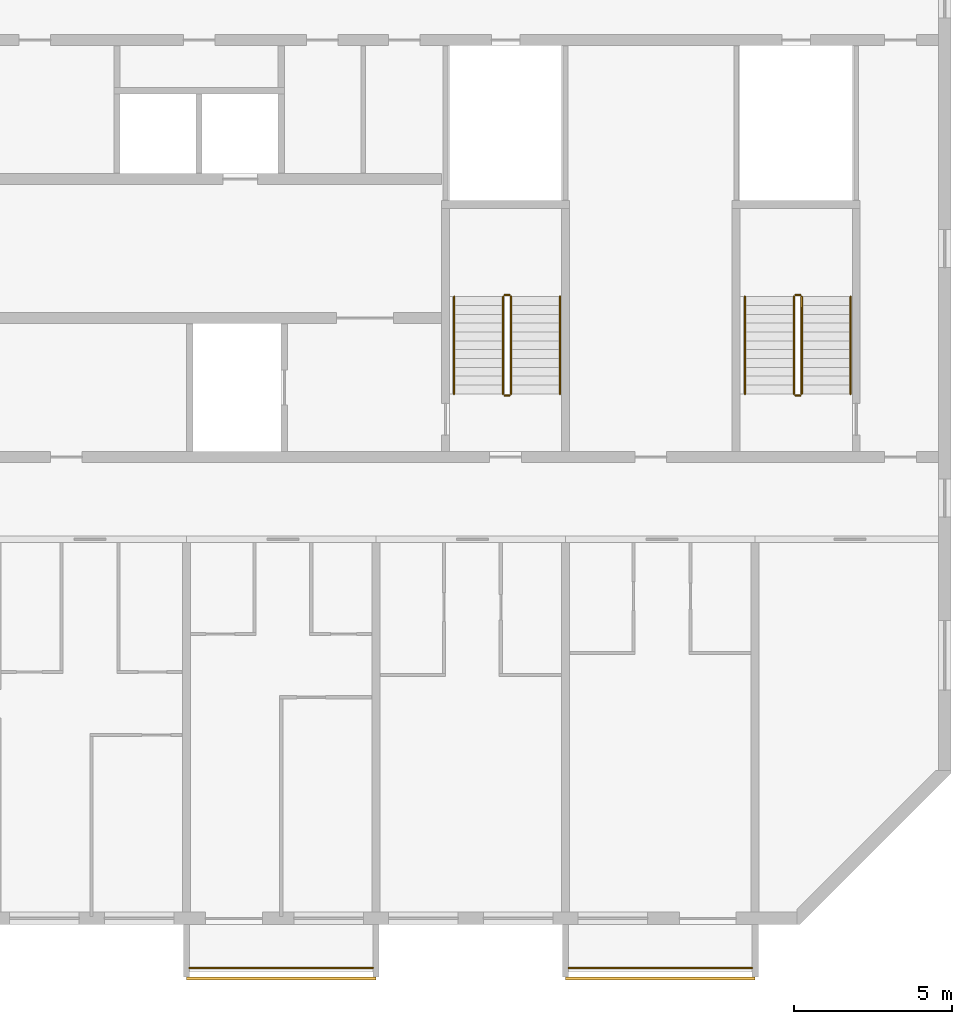
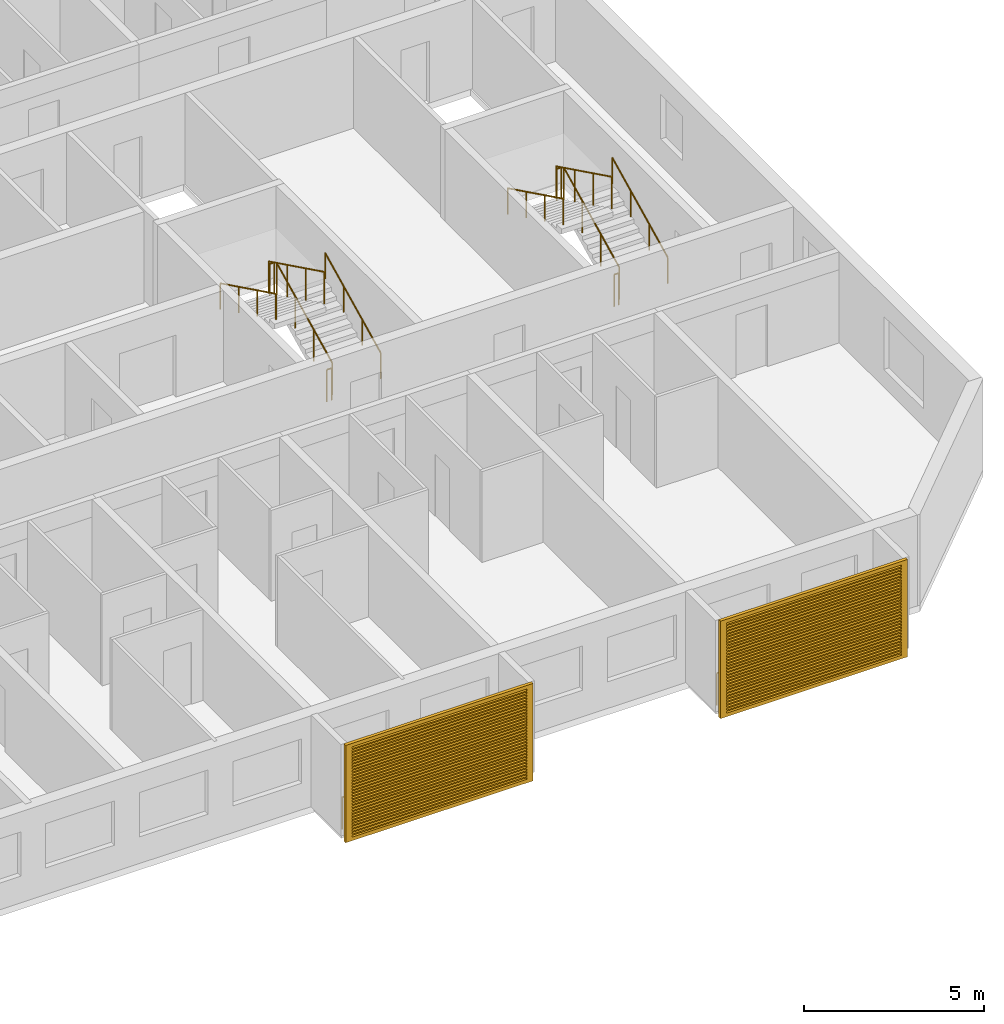
# One storey, part 14 of 26: 14 railings, 2 shading devices.
"""IFC4 building model written with IfcOpenShell, lengths in metres."""

from ifc_helpers import new_model, si_unit, direction, frame, origin, origin_2d, place, context, subcontext, project, spatial, polyline, circle, outline, extrude, source, transform, mapped, material, material_profile, profile_set, type_object, element, save


model = new_model("IFC4")

# Units and contexts
model_context = context("Model", 3, precision=1e-05, world=origin(), true_north=direction((0.0, 1.0)))
body_context = subcontext(model_context, "Body", "Model", "MODEL_VIEW")
ifc_project = project(units=[si_unit("LENGTHUNIT", "METRE"), si_unit("AREAUNIT", "SQUARE_METRE"), si_unit("VOLUMEUNIT", "CUBIC_METRE"), si_unit("PLANEANGLEUNIT", "RADIAN"), si_unit("MASSUNIT", "GRAM", prefix="KILO")], contexts=[model_context])

# Site, building, storey
site_placement = place(None, origin())
site = spatial("IfcSite", under=ifc_project, at=site_placement, CompositionType="ELEMENT")
building_placement = place(site_placement, origin())
building = spatial("IfcBuilding", under=site, at=building_placement, Name="Poui Terraces", CompositionType="ELEMENT")
storey_placement = place(building_placement, frame((0.0, 0.0, 244.5)))
storey = spatial("IfcBuildingStorey", under=building, at=storey_placement, Name="L68", CompositionType="ELEMENT", Elevation=244.5)

# Railings
ifc_material_1 = material(Name="Painted steel fretwork", Category="steel")
railing_type_1 = type_object("IfcRailingType", Name="BALCONY GUARD 1100", PredefinedType="GUARDRAIL", material=ifc_material_1)
for number, where, name in (
    (1, (60.10009765625, -1.570068359375, 0.0), "BALCONY GUARD"),
    (2, (72.10009765625, -1.570068359375, 0.0), "BALCONY GUARD"),
):
    element("IfcRailing", number, at=place(storey_placement, frame(where)), inside=storey, type_object=railing_type_1, Name=name, PredefinedType="GUARDRAIL", context=body_context, shape_type="SweptSolid", body=[
        extrude(circle(Radius=0.02392578125, at=origin_2d()), frame((0.0, 0.0, 1.076171875), z_axis=(1.0, 0.0, 0.0), x_axis=(0.0, 1.0, 0.0)), (0.0, 0.0, 1.0), 5.7998046875),
        extrude(circle(Radius=0.02099609375, at=origin_2d()), origin(), (0.0, 0.0, 1.0), 1.052001953125),
        extrude(circle(Radius=0.02099609375, at=origin_2d()), frame((0.966552734375, 0.0, 0.0)), (0.0, 0.0, 1.0), 1.052001953125),
        extrude(circle(Radius=0.02099609375, at=origin_2d()), frame((1.933349609375, 0.0, 0.0)), (0.0, 0.0, 1.0), 1.052001953125),
        extrude(circle(Radius=0.02099609375, at=origin_2d()), frame((2.89990234375, 0.0, 0.0)), (0.0, 0.0, 1.0), 1.052001953125),
        extrude(circle(Radius=0.02099609375, at=origin_2d()), frame((3.866455078125, 0.0, 0.0)), (0.0, 0.0, 1.0), 1.052001953125),
        extrude(circle(Radius=0.02099609375, at=origin_2d()), frame((4.833251953125, 0.0, 0.0)), (0.0, 0.0, 1.0), 1.052001953125),
        extrude(circle(Radius=0.02099609375, at=origin_2d()), frame((5.7998046875, 0.0, 0.0)), (0.0, 0.0, 1.0), 1.052001953125),
    ])
ifc_material_2 = material(Name="Galvanised steel balustrade", Category="steel")
railing_type_2 = type_object("IfcRailingType", Name="STAIR GUARD 1100", PredefinedType="GUARDRAIL", material=ifc_material_2)
railing_1_placement = place(storey_placement, frame((70.27490234375, 16.60009765625, 0.137451171875)))
element("IfcRailing", 3, at=railing_1_placement, inside=storey, type_object=railing_type_2, Name="L68 ST-CE stair guard 1", PredefinedType="GUARDRAIL", context=body_context, shape_type="SweptSolid", body=[
    extrude(circle(Radius=0.02392578125, at=origin_2d()), frame((0.0, 0.0, 1.076171875), z_axis=(0.0, 0.897606190399, 0.440798283751), x_axis=(-1.0, 0.0, 0.0)), (0.0, 0.0, 1.0), 3.43115234375),
    extrude(circle(Radius=0.02099609375, at=origin_2d()), origin(), (0.0, 0.0, 1.0), 1.052001953125),
    extrude(circle(Radius=0.02099609375, at=origin_2d()), frame((0.0, 1.026611328125, 0.504150390625)), (0.0, 0.0, 1.0), 1.052001953125),
    extrude(circle(Radius=0.02099609375, at=origin_2d()), frame((0.0, 2.05322265625, 1.00830078125)), (0.0, 0.0, 1.0), 1.052001953125),
    extrude(circle(Radius=0.02099609375, at=origin_2d()), frame((0.0, 3.079833984375, 1.512451171875)), (0.0, 0.0, 1.0), 1.052001953125),
])
railing_2_placement = place(storey_placement, frame((70.22509765625, 19.72998046875, 1.64990234375)))
element("IfcRailing", 4, at=railing_2_placement, inside=storey, type_object=railing_type_2, Name="L68 ST-CE stair guard 2", PredefinedType="GUARDRAIL", context=body_context, shape_type="SweptSolid", body=[
    extrude(circle(Radius=0.02392578125, at=origin_2d()), frame((0.0, 0.0, 1.076171875), z_axis=(-1.0, 0.0, 0.0), x_axis=(0.0, -1.0, 0.0)), (0.0, 0.0, 1.0), 0.150146484375),
    extrude(circle(Radius=0.02099609375, at=origin_2d()), origin(), (0.0, 0.0, 1.0), 1.052001953125),
    extrude(circle(Radius=0.02099609375, at=origin_2d()), frame((-0.150146484375, 0.0, 0.0)), (0.0, 0.0, 1.0), 1.052001953125),
])
railing_3_placement = place(storey_placement, frame((70.02490234375, 19.679931640625, 1.78759765625)))
element("IfcRailing", 5, at=railing_3_placement, inside=storey, type_object=railing_type_2, Name="L68 ST-CE stair guard 3", PredefinedType="GUARDRAIL", context=body_context, shape_type="SweptSolid", body=[
    extrude(circle(Radius=0.02392578125, at=origin_2d()), frame((0.0, 0.0, 1.076171875), z_axis=(0.0, -0.897606190399, 0.440798283751), x_axis=(1.0, 0.0, 0.0)), (0.0, 0.0, 1.0), 3.43115234375),
    extrude(circle(Radius=0.02099609375, at=origin_2d()), origin(), (0.0, 0.0, 1.0), 1.052001953125),
    extrude(circle(Radius=0.02099609375, at=origin_2d()), frame((0.0, -1.026611328125, 0.504150390625)), (0.0, 0.0, 1.0), 1.052001953125),
    extrude(circle(Radius=0.02099609375, at=origin_2d()), frame((0.0, -2.05322265625, 1.00830078125)), (0.0, 0.0, 1.0), 1.052001953125),
    extrude(circle(Radius=0.02099609375, at=origin_2d()), frame((0.0, -3.079833984375, 1.512451171875)), (0.0, 0.0, 1.0), 1.052001953125),
])
railing_4_placement = place(storey_placement, frame((70.22509765625, 16.550048828125, 0.0)))
element("IfcRailing", 6, at=railing_4_placement, inside=storey, type_object=railing_type_2, Name="L68 ST-CE stair guard 4", PredefinedType="GUARDRAIL", context=body_context, shape_type="SweptSolid", body=[
    extrude(circle(Radius=0.02392578125, at=origin_2d()), frame((0.0, 0.0, 1.076171875), z_axis=(-1.0, 0.0, 0.0), x_axis=(0.0, -1.0, 0.0)), (0.0, 0.0, 1.0), 0.150146484375),
    extrude(circle(Radius=0.02099609375, at=origin_2d()), origin(), (0.0, 0.0, 1.0), 1.052001953125),
    extrude(circle(Radius=0.02099609375, at=origin_2d()), frame((-0.150146484375, 0.0, 0.0)), (0.0, 0.0, 1.0), 1.052001953125),
])
railing_5_placement = place(storey_placement, frame((79.47509765625, 16.60009765625, 0.137451171875)))
element("IfcRailing", 7, at=railing_5_placement, inside=storey, type_object=railing_type_2, Name="L68 ST-E stair guard 1", PredefinedType="GUARDRAIL", context=body_context, shape_type="SweptSolid", body=[
    extrude(circle(Radius=0.02392578125, at=origin_2d()), frame((0.0, 0.0, 1.076171875), z_axis=(0.0, 0.897606190399, 0.440798283751), x_axis=(-1.0, 0.0, 0.0)), (0.0, 0.0, 1.0), 3.43115234375),
    extrude(circle(Radius=0.02099609375, at=origin_2d()), origin(), (0.0, 0.0, 1.0), 1.052001953125),
    extrude(circle(Radius=0.02099609375, at=origin_2d()), frame((0.0, 1.026611328125, 0.504150390625)), (0.0, 0.0, 1.0), 1.052001953125),
    extrude(circle(Radius=0.02099609375, at=origin_2d()), frame((0.0, 2.05322265625, 1.00830078125)), (0.0, 0.0, 1.0), 1.052001953125),
    extrude(circle(Radius=0.02099609375, at=origin_2d()), frame((0.0, 3.079833984375, 1.512451171875)), (0.0, 0.0, 1.0), 1.052001953125),
])
railing_6_placement = place(storey_placement, frame((79.425048828125, 19.72998046875, 1.64990234375)))
element("IfcRailing", 8, at=railing_6_placement, inside=storey, type_object=railing_type_2, Name="L68 ST-E stair guard 2", PredefinedType="GUARDRAIL", context=body_context, shape_type="SweptSolid", body=[
    extrude(circle(Radius=0.02392578125, at=origin_2d()), frame((0.0, 0.0, 1.076171875), z_axis=(-1.0, 0.0, 0.0), x_axis=(0.0, -1.0, 0.0)), (0.0, 0.0, 1.0), 0.150146484375),
    extrude(circle(Radius=0.02099609375, at=origin_2d()), origin(), (0.0, 0.0, 1.0), 1.052001953125),
    extrude(circle(Radius=0.02099609375, at=origin_2d()), frame((-0.150146484375, 0.0, 0.0)), (0.0, 0.0, 1.0), 1.052001953125),
])
railing_7_placement = place(storey_placement, frame((79.22509765625, 19.679931640625, 1.78759765625)))
element("IfcRailing", 9, at=railing_7_placement, inside=storey, type_object=railing_type_2, Name="L68 ST-E stair guard 3", PredefinedType="GUARDRAIL", context=body_context, shape_type="SweptSolid", body=[
    extrude(circle(Radius=0.02392578125, at=origin_2d()), frame((0.0, 0.0, 1.076171875), z_axis=(0.0, -0.897606190399, 0.440798283751), x_axis=(1.0, 0.0, 0.0)), (0.0, 0.0, 1.0), 3.43115234375),
    extrude(circle(Radius=0.02099609375, at=origin_2d()), origin(), (0.0, 0.0, 1.0), 1.052001953125),
    extrude(circle(Radius=0.02099609375, at=origin_2d()), frame((0.0, -1.026611328125, 0.504150390625)), (0.0, 0.0, 1.0), 1.052001953125),
    extrude(circle(Radius=0.02099609375, at=origin_2d()), frame((0.0, -2.05322265625, 1.00830078125)), (0.0, 0.0, 1.0), 1.052001953125),
    extrude(circle(Radius=0.02099609375, at=origin_2d()), frame((0.0, -3.079833984375, 1.512451171875)), (0.0, 0.0, 1.0), 1.052001953125),
])
railing_8_placement = place(storey_placement, frame((79.425048828125, 16.550048828125, 0.0)))
element("IfcRailing", 10, at=railing_8_placement, inside=storey, type_object=railing_type_2, Name="L68 ST-E stair guard 4", PredefinedType="GUARDRAIL", context=body_context, shape_type="SweptSolid", body=[
    extrude(circle(Radius=0.02392578125, at=origin_2d()), frame((0.0, 0.0, 1.076171875), z_axis=(-1.0, 0.0, 0.0), x_axis=(0.0, -1.0, 0.0)), (0.0, 0.0, 1.0), 0.150146484375),
    extrude(circle(Radius=0.02099609375, at=origin_2d()), origin(), (0.0, 0.0, 1.0), 1.052001953125),
    extrude(circle(Radius=0.02099609375, at=origin_2d()), frame((-0.150146484375, 0.0, 0.0)), (0.0, 0.0, 1.0), 1.052001953125),
])
ifc_material_3 = material(Name="Stainless steel handrail", Category="steel")
railing_type_3 = type_object("IfcRailingType", Name="STAIR HANDRAIL 900", PredefinedType="HANDRAIL", material=ifc_material_3)
railing_9_placement = place(storey_placement, frame((71.824951171875, 16.60009765625, 0.137451171875)))
element("IfcRailing", 11, at=railing_9_placement, inside=storey, type_object=railing_type_3, Name="L68 ST-CE stair handrail 1", PredefinedType="HANDRAIL", context=body_context, shape_type="SweptSolid", body=[
    extrude(circle(Radius=0.02392578125, at=origin_2d()), frame((0.0, 0.0, 0.8759765625), z_axis=(0.0, 0.897606190399, 0.440798283751), x_axis=(-1.0, 0.0, 0.0)), (0.0, 0.0, 1.0), 3.43115234375),
    extrude(circle(Radius=0.02099609375, at=origin_2d()), origin(), (0.0, 0.0, 1.0), 0.851806640625),
    extrude(circle(Radius=0.02099609375, at=origin_2d()), frame((0.0, 1.026611328125, 0.504150390625)), (0.0, 0.0, 1.0), 0.851806640625),
    extrude(circle(Radius=0.02099609375, at=origin_2d()), frame((0.0, 2.05322265625, 1.00830078125)), (0.0, 0.0, 1.0), 0.851806640625),
    extrude(circle(Radius=0.02099609375, at=origin_2d()), frame((0.0, 3.079833984375, 1.512451171875)), (0.0, 0.0, 1.0), 0.851806640625),
])
railing_10_placement = place(storey_placement, frame((68.47509765625, 19.679931640625, 1.78759765625)))
element("IfcRailing", 12, at=railing_10_placement, inside=storey, type_object=railing_type_3, Name="L68 ST-CE stair handrail 2", PredefinedType="HANDRAIL", context=body_context, shape_type="SweptSolid", body=[
    extrude(circle(Radius=0.02392578125, at=origin_2d()), frame((0.0, 0.0, 0.8759765625), z_axis=(0.0, -0.897606190399, 0.440798283751), x_axis=(1.0, 0.0, 0.0)), (0.0, 0.0, 1.0), 3.43115234375),
    extrude(circle(Radius=0.02099609375, at=origin_2d()), origin(), (0.0, 0.0, 1.0), 0.851806640625),
    extrude(circle(Radius=0.02099609375, at=origin_2d()), frame((0.0, -1.026611328125, 0.504150390625)), (0.0, 0.0, 1.0), 0.851806640625),
    extrude(circle(Radius=0.02099609375, at=origin_2d()), frame((0.0, -2.05322265625, 1.00830078125)), (0.0, 0.0, 1.0), 0.851806640625),
    extrude(circle(Radius=0.02099609375, at=origin_2d()), frame((0.0, -3.079833984375, 1.512451171875)), (0.0, 0.0, 1.0), 0.851806640625),
])
railing_11_placement = place(storey_placement, frame((81.02490234375, 16.60009765625, 0.137451171875)))
element("IfcRailing", 13, at=railing_11_placement, inside=storey, type_object=railing_type_3, Name="L68 ST-E stair handrail 1", PredefinedType="HANDRAIL", context=body_context, shape_type="SweptSolid", body=[
    extrude(circle(Radius=0.02392578125, at=origin_2d()), frame((0.0, 0.0, 0.8759765625), z_axis=(0.0, 0.897606190399, 0.440798283751), x_axis=(-1.0, 0.0, 0.0)), (0.0, 0.0, 1.0), 3.43115234375),
    extrude(circle(Radius=0.02099609375, at=origin_2d()), origin(), (0.0, 0.0, 1.0), 0.851806640625),
    extrude(circle(Radius=0.02099609375, at=origin_2d()), frame((0.0, 1.026611328125, 0.504150390625)), (0.0, 0.0, 1.0), 0.851806640625),
    extrude(circle(Radius=0.02099609375, at=origin_2d()), frame((0.0, 2.05322265625, 1.00830078125)), (0.0, 0.0, 1.0), 0.851806640625),
    extrude(circle(Radius=0.02099609375, at=origin_2d()), frame((0.0, 3.079833984375, 1.512451171875)), (0.0, 0.0, 1.0), 0.851806640625),
])
railing_12_placement = place(storey_placement, frame((77.675048828125, 19.679931640625, 1.78759765625)))
element("IfcRailing", 14, at=railing_12_placement, inside=storey, type_object=railing_type_3, Name="L68 ST-E stair handrail 2", PredefinedType="HANDRAIL", context=body_context, shape_type="SweptSolid", body=[
    extrude(circle(Radius=0.02392578125, at=origin_2d()), frame((0.0, 0.0, 0.8759765625), z_axis=(0.0, -0.897606190399, 0.440798283751), x_axis=(1.0, 0.0, 0.0)), (0.0, 0.0, 1.0), 3.43115234375),
    extrude(circle(Radius=0.02099609375, at=origin_2d()), origin(), (0.0, 0.0, 1.0), 0.851806640625),
    extrude(circle(Radius=0.02099609375, at=origin_2d()), frame((0.0, -1.026611328125, 0.504150390625)), (0.0, 0.0, 1.0), 0.851806640625),
    extrude(circle(Radius=0.02099609375, at=origin_2d()), frame((0.0, -2.05322265625, 1.00830078125)), (0.0, 0.0, 1.0), 0.851806640625),
    extrude(circle(Radius=0.02099609375, at=origin_2d()), frame((0.0, -3.079833984375, 1.512451171875)), (0.0, 0.0, 1.0), 0.851806640625),
])

# Shading devices
ifc_material_4 = material(Name="Aluminium louvre", Category="aluminium")
ifc_material_profile = material_profile(ifc_material_4, outline(polyline([(-3.0, -1.64990234375), (3.0, -1.64990234375), (3.0, 1.64990234375), (-3.0, 1.64990234375), (-3.0, -1.64990234375)]), holes=[polyline([(-2.800048828125, -1.530029296875), (2.800048828125, -1.530029296875), (2.800048828125, -1.469970703125), (-2.800048828125, -1.469970703125), (-2.800048828125, -1.530029296875)]), polyline([(-2.800048828125, -1.429931640625), (2.800048828125, -1.429931640625), (2.800048828125, -1.3701171875), (-2.800048828125, -1.3701171875), (-2.800048828125, -1.429931640625)]), polyline([(-2.800048828125, -1.330078125), (2.800048828125, -1.330078125), (2.800048828125, -1.27001953125), (-2.800048828125, -1.27001953125), (-2.800048828125, -1.330078125)]), polyline([(-2.800048828125, -1.22998046875), (2.800048828125, -1.22998046875), (2.800048828125, -1.169921875), (-2.800048828125, -1.169921875), (-2.800048828125, -1.22998046875)]), polyline([(-2.800048828125, -1.1298828125), (2.800048828125, -1.1298828125), (2.800048828125, -1.070068359375), (-2.800048828125, -1.070068359375), (-2.800048828125, -1.1298828125)]), polyline([(-2.800048828125, -1.030029296875), (2.800048828125, -1.030029296875), (2.800048828125, -0.969970703125), (-2.800048828125, -0.969970703125), (-2.800048828125, -1.030029296875)]), polyline([(-2.800048828125, -0.929931640625), (2.800048828125, -0.929931640625), (2.800048828125, -0.8701171875), (-2.800048828125, -0.8701171875), (-2.800048828125, -0.929931640625)]), polyline([(-2.800048828125, -0.830078125), (2.800048828125, -0.830078125), (2.800048828125, -0.77001953125), (-2.800048828125, -0.77001953125), (-2.800048828125, -0.830078125)]), polyline([(-2.800048828125, -0.72998046875), (2.800048828125, -0.72998046875), (2.800048828125, -0.669921875), (-2.800048828125, -0.669921875), (-2.800048828125, -0.72998046875)]), polyline([(-2.800048828125, -0.6298828125), (2.800048828125, -0.6298828125), (2.800048828125, -0.570068359375), (-2.800048828125, -0.570068359375), (-2.800048828125, -0.6298828125)]), polyline([(-2.800048828125, -0.530029296875), (2.800048828125, -0.530029296875), (2.800048828125, -0.469970703125), (-2.800048828125, -0.469970703125), (-2.800048828125, -0.530029296875)]), polyline([(-2.800048828125, -0.429931640625), (2.800048828125, -0.429931640625), (2.800048828125, -0.3701171875), (-2.800048828125, -0.3701171875), (-2.800048828125, -0.429931640625)]), polyline([(-2.800048828125, -0.330078125), (2.800048828125, -0.330078125), (2.800048828125, -0.27001953125), (-2.800048828125, -0.27001953125), (-2.800048828125, -0.330078125)]), polyline([(-2.800048828125, -0.22998046875), (2.800048828125, -0.22998046875), (2.800048828125, -0.169921875), (-2.800048828125, -0.169921875), (-2.800048828125, -0.22998046875)]), polyline([(-2.800048828125, -0.1298828125), (2.800048828125, -0.1298828125), (2.800048828125, -0.070068359375), (-2.800048828125, -0.070068359375), (-2.800048828125, -0.1298828125)]), polyline([(-2.800048828125, -0.030029296875), (2.800048828125, -0.030029296875), (2.800048828125, 0.030029296875), (-2.800048828125, 0.030029296875), (-2.800048828125, -0.030029296875)]), polyline([(-2.800048828125, 0.070068359375), (2.800048828125, 0.070068359375), (2.800048828125, 0.1298828125), (-2.800048828125, 0.1298828125), (-2.800048828125, 0.070068359375)]), polyline([(-2.800048828125, 0.169921875), (2.800048828125, 0.169921875), (2.800048828125, 0.22998046875), (-2.800048828125, 0.22998046875), (-2.800048828125, 0.169921875)]), polyline([(-2.800048828125, 0.27001953125), (2.800048828125, 0.27001953125), (2.800048828125, 0.330078125), (-2.800048828125, 0.330078125), (-2.800048828125, 0.27001953125)]), polyline([(-2.800048828125, 0.3701171875), (2.800048828125, 0.3701171875), (2.800048828125, 0.429931640625), (-2.800048828125, 0.429931640625), (-2.800048828125, 0.3701171875)]), polyline([(-2.800048828125, 0.469970703125), (2.800048828125, 0.469970703125), (2.800048828125, 0.530029296875), (-2.800048828125, 0.530029296875), (-2.800048828125, 0.469970703125)]), polyline([(-2.800048828125, 0.570068359375), (2.800048828125, 0.570068359375), (2.800048828125, 0.6298828125), (-2.800048828125, 0.6298828125), (-2.800048828125, 0.570068359375)]), polyline([(-2.800048828125, 0.669921875), (2.800048828125, 0.669921875), (2.800048828125, 0.72998046875), (-2.800048828125, 0.72998046875), (-2.800048828125, 0.669921875)]), polyline([(-2.800048828125, 0.77001953125), (2.800048828125, 0.77001953125), (2.800048828125, 0.830078125), (-2.800048828125, 0.830078125), (-2.800048828125, 0.77001953125)]), polyline([(-2.800048828125, 0.8701171875), (2.800048828125, 0.8701171875), (2.800048828125, 0.929931640625), (-2.800048828125, 0.929931640625), (-2.800048828125, 0.8701171875)]), polyline([(-2.800048828125, 0.969970703125), (2.800048828125, 0.969970703125), (2.800048828125, 1.030029296875), (-2.800048828125, 1.030029296875), (-2.800048828125, 0.969970703125)]), polyline([(-2.800048828125, 1.070068359375), (2.800048828125, 1.070068359375), (2.800048828125, 1.1298828125), (-2.800048828125, 1.1298828125), (-2.800048828125, 1.070068359375)]), polyline([(-2.800048828125, 1.169921875), (2.800048828125, 1.169921875), (2.800048828125, 1.22998046875), (-2.800048828125, 1.22998046875), (-2.800048828125, 1.169921875)]), polyline([(-2.800048828125, 1.27001953125), (2.800048828125, 1.27001953125), (2.800048828125, 1.330078125), (-2.800048828125, 1.330078125), (-2.800048828125, 1.27001953125)]), polyline([(-2.800048828125, 1.3701171875), (2.800048828125, 1.3701171875), (2.800048828125, 1.429931640625), (-2.800048828125, 1.429931640625), (-2.800048828125, 1.3701171875)]), polyline([(-2.800048828125, 1.469970703125), (2.800048828125, 1.469970703125), (2.800048828125, 1.530029296875), (-2.800048828125, 1.530029296875), (-2.800048828125, 1.469970703125)])]), Name="JALOUSIE LOUVRE SHUTTER 6000X3300")
ifc_profile_set = profile_set([ifc_material_profile], Name="Aluminium louvre")
shading_device_type = type_object("IfcShadingDeviceType", Name="JALOUSIE LOUVRE SHUTTER 6000X3300", PredefinedType="JALOUSIE", material=ifc_profile_set)
shared_shape = source(origin(), body_context, "Body", "SweptSolid", [
    extrude(outline(polyline([(-3.0, -1.64990234375), (3.0, -1.64990234375), (3.0, 1.64990234375), (-3.0, 1.64990234375), (-3.0, -1.64990234375)]), holes=[polyline([(-2.800048828125, -1.530029296875), (2.800048828125, -1.530029296875), (2.800048828125, -1.469970703125), (-2.800048828125, -1.469970703125), (-2.800048828125, -1.530029296875)]), polyline([(-2.800048828125, -1.429931640625), (2.800048828125, -1.429931640625), (2.800048828125, -1.3701171875), (-2.800048828125, -1.3701171875), (-2.800048828125, -1.429931640625)]), polyline([(-2.800048828125, -1.330078125), (2.800048828125, -1.330078125), (2.800048828125, -1.27001953125), (-2.800048828125, -1.27001953125), (-2.800048828125, -1.330078125)]), polyline([(-2.800048828125, -1.22998046875), (2.800048828125, -1.22998046875), (2.800048828125, -1.169921875), (-2.800048828125, -1.169921875), (-2.800048828125, -1.22998046875)]), polyline([(-2.800048828125, -1.1298828125), (2.800048828125, -1.1298828125), (2.800048828125, -1.070068359375), (-2.800048828125, -1.070068359375), (-2.800048828125, -1.1298828125)]), polyline([(-2.800048828125, -1.030029296875), (2.800048828125, -1.030029296875), (2.800048828125, -0.969970703125), (-2.800048828125, -0.969970703125), (-2.800048828125, -1.030029296875)]), polyline([(-2.800048828125, -0.929931640625), (2.800048828125, -0.929931640625), (2.800048828125, -0.8701171875), (-2.800048828125, -0.8701171875), (-2.800048828125, -0.929931640625)]), polyline([(-2.800048828125, -0.830078125), (2.800048828125, -0.830078125), (2.800048828125, -0.77001953125), (-2.800048828125, -0.77001953125), (-2.800048828125, -0.830078125)]), polyline([(-2.800048828125, -0.72998046875), (2.800048828125, -0.72998046875), (2.800048828125, -0.669921875), (-2.800048828125, -0.669921875), (-2.800048828125, -0.72998046875)]), polyline([(-2.800048828125, -0.6298828125), (2.800048828125, -0.6298828125), (2.800048828125, -0.570068359375), (-2.800048828125, -0.570068359375), (-2.800048828125, -0.6298828125)]), polyline([(-2.800048828125, -0.530029296875), (2.800048828125, -0.530029296875), (2.800048828125, -0.469970703125), (-2.800048828125, -0.469970703125), (-2.800048828125, -0.530029296875)]), polyline([(-2.800048828125, -0.429931640625), (2.800048828125, -0.429931640625), (2.800048828125, -0.3701171875), (-2.800048828125, -0.3701171875), (-2.800048828125, -0.429931640625)]), polyline([(-2.800048828125, -0.330078125), (2.800048828125, -0.330078125), (2.800048828125, -0.27001953125), (-2.800048828125, -0.27001953125), (-2.800048828125, -0.330078125)]), polyline([(-2.800048828125, -0.22998046875), (2.800048828125, -0.22998046875), (2.800048828125, -0.169921875), (-2.800048828125, -0.169921875), (-2.800048828125, -0.22998046875)]), polyline([(-2.800048828125, -0.1298828125), (2.800048828125, -0.1298828125), (2.800048828125, -0.070068359375), (-2.800048828125, -0.070068359375), (-2.800048828125, -0.1298828125)]), polyline([(-2.800048828125, -0.030029296875), (2.800048828125, -0.030029296875), (2.800048828125, 0.030029296875), (-2.800048828125, 0.030029296875), (-2.800048828125, -0.030029296875)]), polyline([(-2.800048828125, 0.070068359375), (2.800048828125, 0.070068359375), (2.800048828125, 0.1298828125), (-2.800048828125, 0.1298828125), (-2.800048828125, 0.070068359375)]), polyline([(-2.800048828125, 0.169921875), (2.800048828125, 0.169921875), (2.800048828125, 0.22998046875), (-2.800048828125, 0.22998046875), (-2.800048828125, 0.169921875)]), polyline([(-2.800048828125, 0.27001953125), (2.800048828125, 0.27001953125), (2.800048828125, 0.330078125), (-2.800048828125, 0.330078125), (-2.800048828125, 0.27001953125)]), polyline([(-2.800048828125, 0.3701171875), (2.800048828125, 0.3701171875), (2.800048828125, 0.429931640625), (-2.800048828125, 0.429931640625), (-2.800048828125, 0.3701171875)]), polyline([(-2.800048828125, 0.469970703125), (2.800048828125, 0.469970703125), (2.800048828125, 0.530029296875), (-2.800048828125, 0.530029296875), (-2.800048828125, 0.469970703125)]), polyline([(-2.800048828125, 0.570068359375), (2.800048828125, 0.570068359375), (2.800048828125, 0.6298828125), (-2.800048828125, 0.6298828125), (-2.800048828125, 0.570068359375)]), polyline([(-2.800048828125, 0.669921875), (2.800048828125, 0.669921875), (2.800048828125, 0.72998046875), (-2.800048828125, 0.72998046875), (-2.800048828125, 0.669921875)]), polyline([(-2.800048828125, 0.77001953125), (2.800048828125, 0.77001953125), (2.800048828125, 0.830078125), (-2.800048828125, 0.830078125), (-2.800048828125, 0.77001953125)]), polyline([(-2.800048828125, 0.8701171875), (2.800048828125, 0.8701171875), (2.800048828125, 0.929931640625), (-2.800048828125, 0.929931640625), (-2.800048828125, 0.8701171875)]), polyline([(-2.800048828125, 0.969970703125), (2.800048828125, 0.969970703125), (2.800048828125, 1.030029296875), (-2.800048828125, 1.030029296875), (-2.800048828125, 0.969970703125)]), polyline([(-2.800048828125, 1.070068359375), (2.800048828125, 1.070068359375), (2.800048828125, 1.1298828125), (-2.800048828125, 1.1298828125), (-2.800048828125, 1.070068359375)]), polyline([(-2.800048828125, 1.169921875), (2.800048828125, 1.169921875), (2.800048828125, 1.22998046875), (-2.800048828125, 1.22998046875), (-2.800048828125, 1.169921875)]), polyline([(-2.800048828125, 1.27001953125), (2.800048828125, 1.27001953125), (2.800048828125, 1.330078125), (-2.800048828125, 1.330078125), (-2.800048828125, 1.27001953125)]), polyline([(-2.800048828125, 1.3701171875), (2.800048828125, 1.3701171875), (2.800048828125, 1.429931640625), (-2.800048828125, 1.429931640625), (-2.800048828125, 1.3701171875)]), polyline([(-2.800048828125, 1.469970703125), (2.800048828125, 1.469970703125), (2.800048828125, 1.530029296875), (-2.800048828125, 1.530029296875), (-2.800048828125, 1.469970703125)])]), origin(), (0.0, 0.0, 1.0), 0.099853515625),
])
for number, where, z_axis, x_axis, name in (
    (15, (63.0, -1.85009765625, 1.449951171875), (0.0, -1.0, 0.0), (1.0, 0.0, 0.0), "JALOUSIE LOUVRE SHUTTER"),
    (16, (75.0, -1.85009765625, 1.449951171875), (0.0, -1.0, 0.0), (1.0, 0.0, 0.0), "JALOUSIE LOUVRE SHUTTER"),
):
    element("IfcShadingDevice", number, at=place(storey_placement, frame(where, z_axis=z_axis, x_axis=x_axis)), inside=storey, type_object=shading_device_type, Name=name, PredefinedType="JALOUSIE", context=body_context, shape_type="MappedRepresentation", body=[
        mapped(shared_shape, transform((0.0, 0.0, 0.0))),
    ])

save(model, "model.ifc")
